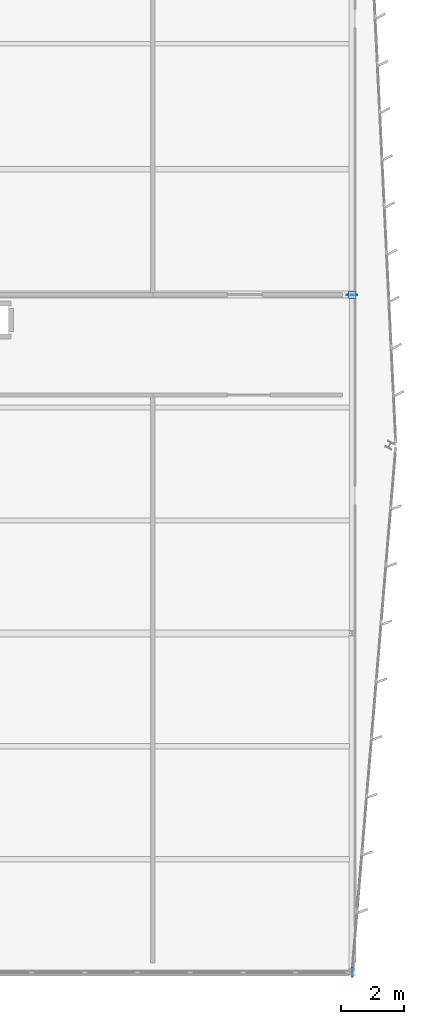
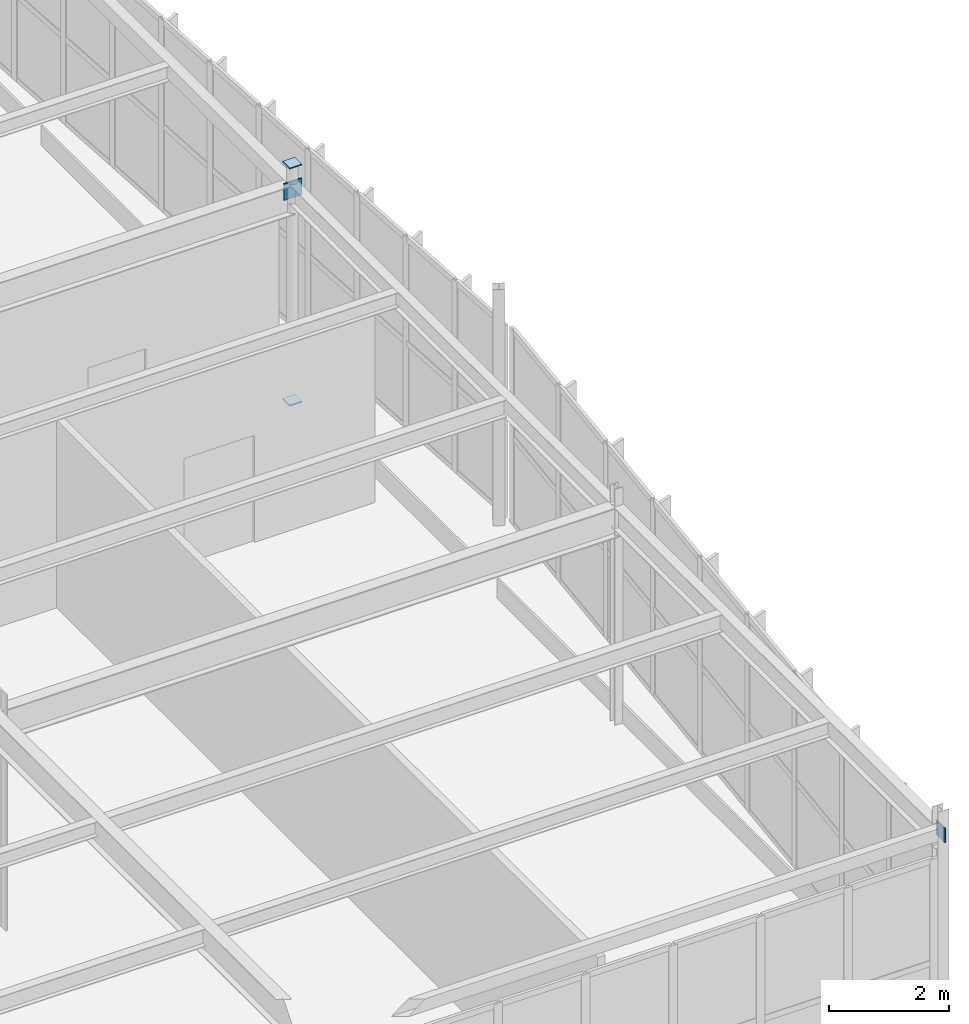
# One storey, part 182 of 226: 4 plates.
"""IFC4 building model written with IfcOpenShell, lengths in metres."""

from ifc_helpers import new_model, si_unit, direction, frame, origin, origin_2d, place, context, subcontext, project, spatial, rectangle, extrude, material, layer, layer_set, type_object, element, save


model = new_model("IFC4")

# Units and contexts
model_context = context("Model", 3, precision=1e-05, world=origin(), true_north=direction((0.0, 1.0)))
body_context = subcontext(model_context, "Body", "Model", "MODEL_VIEW")
ifc_project = project(units=[si_unit("LENGTHUNIT", "METRE"), si_unit("AREAUNIT", "SQUARE_METRE"), si_unit("VOLUMEUNIT", "CUBIC_METRE"), si_unit("PLANEANGLEUNIT", "RADIAN"), si_unit("MASSUNIT", "GRAM", prefix="KILO")], contexts=[model_context])

# Site, building, storey
site_placement = place(None, origin())
site = spatial("IfcSite", under=ifc_project, at=site_placement, CompositionType="ELEMENT")
building_placement = place(site_placement, origin())
building = spatial("IfcBuilding", under=site, at=building_placement, Name="Tarnwether General Hospital", CompositionType="ELEMENT")
storey_placement = place(building_placement, frame((0.0, 0.0, 4.800048828125)))
storey = spatial("IfcBuildingStorey", under=building, at=storey_placement, Name="L01", CompositionType="ELEMENT", Elevation=4.800048828125)

# Plates
ifc_material = material(Name="Steel Grade 350 (350 MPa)", Category="steel")
ifc_layer = layer(ifc_material, 0.02490234375)
ifc_layer_set = layer_set([ifc_layer], Name="Steel Grade 350 (350 MPa)")
plate_type = type_object("IfcPlateType", Name="PT-GUS2", PredefinedType="USERDEFINED", material=ifc_layer_set)
for number, where, z_axis, x_axis, name in (
    (1, (192.0, 21.60009765625, -0.02490234375), (0.0, 0.0, 1.0), (1.0, 0.0, 0.0), "Hollow Section Welded End Cap Plate 0403"),
    (2, (192.0, 21.60009765625, 4.800048828125), (0.0, 0.0, 1.0), (1.0, 0.0, 0.0), "Hollow Section Welded End Cap Plate 0404"),
):
    element("IfcPlate", number, at=place(storey_placement, frame(where, z_axis=z_axis, x_axis=x_axis)), inside=storey, type_object=plate_type, Name=name, ObjectType="GUSSET", PredefinedType="USERDEFINED", context=body_context, shape_type="SweptSolid", body=[
        extrude(rectangle(XDim=0.23388671875, YDim=0.23388671875, at=origin_2d()), origin(), (0.0, 0.0, 1.0), 0.02490234375),
    ])
plate_1_placement = place(storey_placement, frame((192.012451171875, 0.0, 4.175048828125), z_axis=(0.0, 0.0, 1.0), x_axis=(1.0, 0.0, 0.0)))
element("IfcPlate", 3, at=plate_1_placement, inside=storey, type_object=plate_type, Name="Hollow Section Welded End Cap Plate 0938", ObjectType="GUSSET", PredefinedType="USERDEFINED", context=body_context, shape_type="SweptSolid", body=[
    extrude(rectangle(XDim=0.02490234375, YDim=0.2900390625, at=origin_2d()), origin(), (0.0, 0.0, 1.0), 0.2900390625),
])
plate_2_placement = place(storey_placement, frame((192.0, 21.58740234375, 4.125), z_axis=(0.0, 0.0, 1.0), x_axis=(0.0, 1.0, 0.0)))
element("IfcPlate", 4, at=plate_2_placement, inside=storey, type_object=plate_type, Name="Hollow Section Welded End Cap Plate 0941", ObjectType="GUSSET", PredefinedType="USERDEFINED", context=body_context, shape_type="SweptSolid", body=[
    extrude(rectangle(XDim=0.02490234375, YDim=0.340087890625, at=origin_2d()), origin(), (0.0, 0.0, 1.0), 0.340087890625),
])

save(model, "model.ifc")
